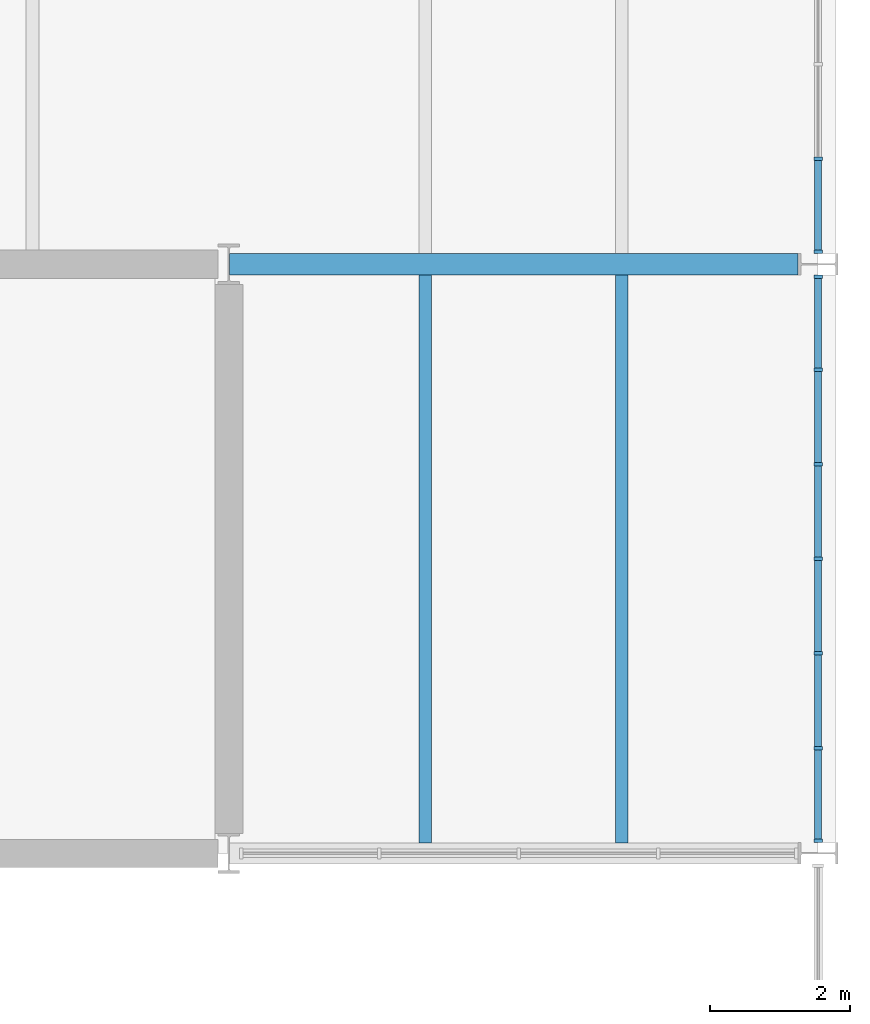
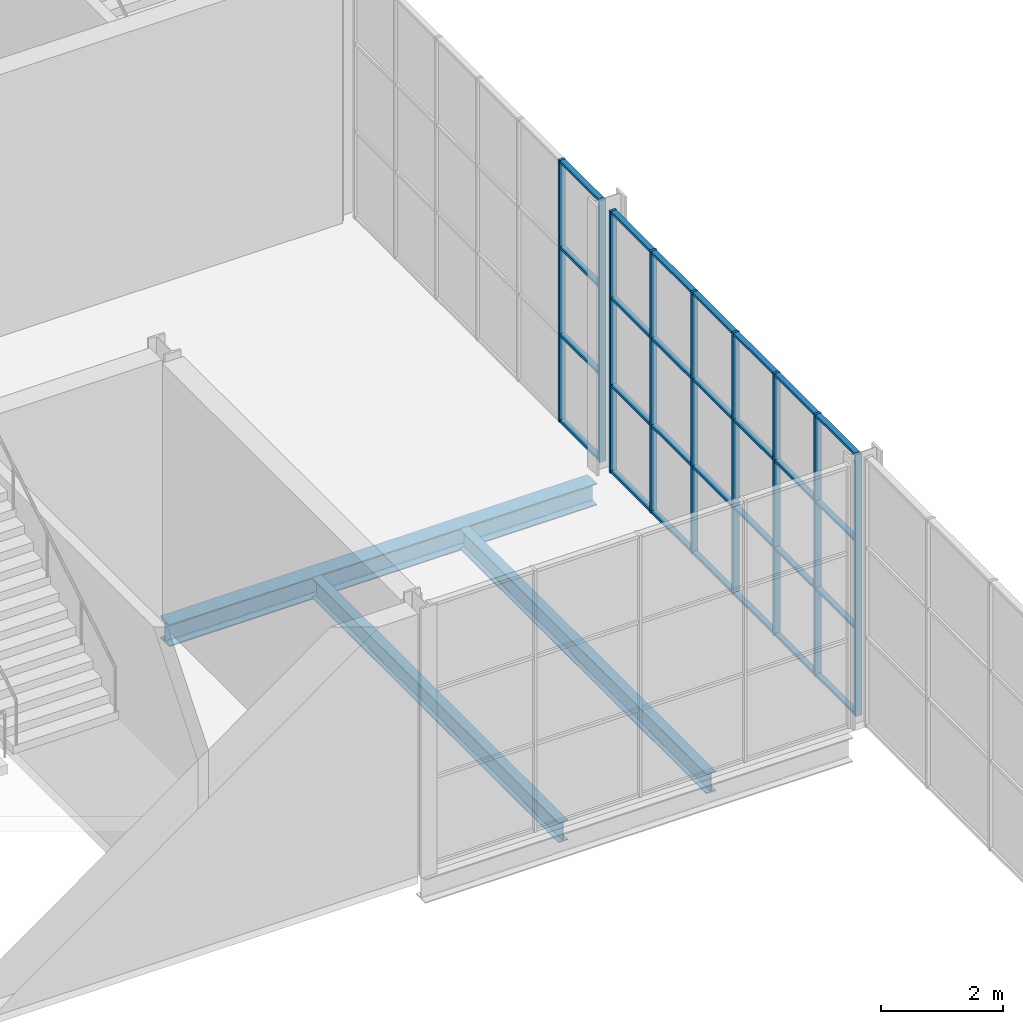
# One storey, part 29 of 64: 37 members, 3 beams, 2 elements without a shape of their own.
"""IFC4 building model written with IfcOpenShell, lengths in metres."""

from ifc_helpers import new_model, si_unit, direction, frame, origin, origin_2d, place, context, subcontext, project, spatial, rectangle, i_section, extrude, material, layer, layer_set, material_profile, profile_set, type_object, element, aggregate, save


model = new_model("IFC4")

# Units and contexts
model_context = context("Model", 3, precision=1e-05, world=origin(), true_north=direction((0.0, 1.0)))
body_context = subcontext(model_context, "Body", "Model", "MODEL_VIEW")
ifc_project = project(units=[si_unit("LENGTHUNIT", "METRE"), si_unit("AREAUNIT", "SQUARE_METRE"), si_unit("VOLUMEUNIT", "CUBIC_METRE"), si_unit("PLANEANGLEUNIT", "RADIAN"), si_unit("MASSUNIT", "GRAM", prefix="KILO")], contexts=[model_context])

# Site, building, storey
site_placement = place(None, origin())
site = spatial("IfcSite", under=ifc_project, at=site_placement, CompositionType="ELEMENT")
building_placement = place(site_placement, origin())
building = spatial("IfcBuilding", under=site, at=building_placement, Name="Galleria Vessillo Department Store", CompositionType="ELEMENT")
storey_placement = place(building_placement, frame((0.0, 0.0, 6.0)))
storey = spatial("IfcBuildingStorey", under=building, at=storey_placement, Name="L01", CompositionType="ELEMENT", Elevation=6.0)

# Curtain wall, members
ifc_material_1 = material(Name="Aluminium and glass curtain wall", Category="aluminium")
ifc_layer = layer(ifc_material_1, 0.1201171875)
ifc_layer_set = layer_set([ifc_layer], Name="Aluminium and glass curtain wall")
curtain_wall_type = type_object("IfcCurtainWallType", Name="Shopfront curtain wall CW3 1400 module", PredefinedType="NOTDEFINED", material=ifc_layer_set)
curtain_wall_1_placement = place(storey_placement, origin())
curtain_wall_1 = element("IfcCurtainWall", 1, at=curtain_wall_1_placement, inside=storey, type_object=curtain_wall_type, Name="Shopfront curtain wall CW3 1400 module SE-N-L01-01", PredefinedType="NOTDEFINED")
ifc_material_2 = material(Name="Aluminium alloy 6063 T6", Category="aluminium")
ifc_material_profile_1 = material_profile(ifc_material_2, rectangle(XDim=0.1201171875, YDim=0.050048828125, at=origin_2d()), Name="AL 50x120")
ifc_profile_set_1 = profile_set([ifc_material_profile_1], Name="Aluminium alloy 6063 T6")
member_type_1 = type_object("IfcMemberType", Name="Aluminium mullion 50 x 120", PredefinedType="MULLION", material=ifc_profile_set_1)
member_1_placement = place(storey_placement, frame((117.60009765625, 37.97802734375, 0.0), z_axis=(0.0, 0.0, 1.0), x_axis=(-1.0, 0.0, 0.0)))
member_1 = element("IfcMember", 2, at=member_1_placement, type_object=member_type_1, Name="CW3 mullion 1", PredefinedType="MULLION", context=body_context, shape_type="SweptSolid", body=[
    extrude(rectangle(XDim=0.1201171875, YDim=0.050048828125, at=origin_2d()), origin(), (0.0, 0.0, 1.0), 5.25),
])
member_2_placement = place(storey_placement, frame((117.60009765625, 39.302001953125, 0.0), z_axis=(0.0, 0.0, 1.0), x_axis=(-1.0, 0.0, 0.0)))
member_2 = element("IfcMember", 3, at=member_2_placement, type_object=member_type_1, Name="CW3 mullion 2", PredefinedType="MULLION", context=body_context, shape_type="SweptSolid", body=[
    extrude(rectangle(XDim=0.1201171875, YDim=0.050048828125, at=origin_2d()), origin(), (0.0, 0.0, 1.0), 5.25),
])
member_3_placement = place(storey_placement, frame((117.60009765625, 40.651123046875, 0.0), z_axis=(0.0, 0.0, 1.0), x_axis=(-1.0, 0.0, 0.0)))
member_3 = element("IfcMember", 4, at=member_3_placement, type_object=member_type_1, Name="CW3 mullion 3", PredefinedType="MULLION", context=body_context, shape_type="SweptSolid", body=[
    extrude(rectangle(XDim=0.1201171875, YDim=0.050048828125, at=origin_2d()), origin(), (0.0, 0.0, 1.0), 5.25),
])
member_4_placement = place(storey_placement, frame((117.60009765625, 42.0, 0.0), z_axis=(0.0, 0.0, 1.0), x_axis=(-1.0, 0.0, 0.0)))
member_4 = element("IfcMember", 5, at=member_4_placement, type_object=member_type_1, Name="CW3 mullion 4", PredefinedType="MULLION", context=body_context, shape_type="SweptSolid", body=[
    extrude(rectangle(XDim=0.1201171875, YDim=0.050048828125, at=origin_2d()), origin(), (0.0, 0.0, 1.0), 5.25),
])
member_5_placement = place(storey_placement, frame((117.60009765625, 43.348876953125, 0.0), z_axis=(0.0, 0.0, 1.0), x_axis=(-1.0, 0.0, 0.0)))
member_5 = element("IfcMember", 6, at=member_5_placement, type_object=member_type_1, Name="CW3 mullion 5", PredefinedType="MULLION", context=body_context, shape_type="SweptSolid", body=[
    extrude(rectangle(XDim=0.1201171875, YDim=0.050048828125, at=origin_2d()), origin(), (0.0, 0.0, 1.0), 5.25),
])
member_6_placement = place(storey_placement, frame((117.60009765625, 44.697998046875, 0.0), z_axis=(0.0, 0.0, 1.0), x_axis=(-1.0, 0.0, 0.0)))
member_6 = element("IfcMember", 7, at=member_6_placement, type_object=member_type_1, Name="CW3 mullion 6", PredefinedType="MULLION", context=body_context, shape_type="SweptSolid", body=[
    extrude(rectangle(XDim=0.1201171875, YDim=0.050048828125, at=origin_2d()), origin(), (0.0, 0.0, 1.0), 5.25),
])
member_7_placement = place(storey_placement, frame((117.60009765625, 46.02197265625, 0.0), z_axis=(0.0, 0.0, 1.0), x_axis=(-1.0, 0.0, 0.0)))
member_7 = element("IfcMember", 8, at=member_7_placement, type_object=member_type_1, Name="CW3 mullion 7", PredefinedType="MULLION", context=body_context, shape_type="SweptSolid", body=[
    extrude(rectangle(XDim=0.1201171875, YDim=0.050048828125, at=origin_2d()), origin(), (0.0, 0.0, 1.0), 5.25),
])

curtain_wall_2_placement = place(storey_placement, origin())
curtain_wall_2 = element("IfcCurtainWall", 9, at=curtain_wall_2_placement, inside=storey, type_object=curtain_wall_type, Name="Shopfront curtain wall CW3 1400 module SE-N-L01-02", PredefinedType="NOTDEFINED")
member_8_placement = place(storey_placement, frame((117.60009765625, 46.3779296875, 0.0), z_axis=(0.0, 0.0, 1.0), x_axis=(-1.0, 0.0, 0.0)))
member_8 = element("IfcMember", 10, at=member_8_placement, type_object=member_type_1, Name="CW3 mullion 1", PredefinedType="MULLION", context=body_context, shape_type="SweptSolid", body=[
    extrude(rectangle(XDim=0.1201171875, YDim=0.050048828125, at=origin_2d()), origin(), (0.0, 0.0, 1.0), 5.25),
])
member_9_placement = place(storey_placement, frame((117.60009765625, 47.701904296875, 0.0), z_axis=(0.0, 0.0, 1.0), x_axis=(-1.0, 0.0, 0.0)))
member_9 = element("IfcMember", 11, at=member_9_placement, type_object=member_type_1, Name="CW3 mullion 2", PredefinedType="MULLION", context=body_context, shape_type="SweptSolid", body=[
    extrude(rectangle(XDim=0.1201171875, YDim=0.050048828125, at=origin_2d()), origin(), (0.0, 0.0, 1.0), 5.25),
])

# Member
ifc_material_3 = material(Name="Aluminium alloy 6063 T6", Category="aluminium")
ifc_material_profile_2 = material_profile(ifc_material_3, rectangle(XDim=0.10009765625, YDim=0.050048828125, at=origin_2d()), Name="AL 50x100")
ifc_profile_set_2 = profile_set([ifc_material_profile_2], Name="Aluminium alloy 6063 T6")
member_type_2 = type_object("IfcMemberType", Name="Aluminium transom 50 x 100", PredefinedType="USERDEFINED", material=ifc_profile_set_2)
member_10_placement = place(storey_placement, frame((117.60009765625, 38.003173828125, 0.02490234375), z_axis=(0.0, 1.0, 0.0), x_axis=(-1.0, 0.0, 0.0)))
member_10 = element("IfcMember", 12, at=member_10_placement, type_object=member_type_2, Name="CW3 transom 1.1", ObjectType="TRANSOM", PredefinedType="USERDEFINED", context=body_context, shape_type="SweptSolid", body=[
    extrude(rectangle(XDim=0.10009765625, YDim=0.050048828125, at=origin_2d()), origin(), (0.0, 0.0, 1.0), 1.27392578125),
])

member_11_placement = place(storey_placement, frame((117.60009765625, 38.003173828125, 1.75), z_axis=(0.0, 1.0, 0.0), x_axis=(-1.0, 0.0, 0.0)))
member_11 = element("IfcMember", 13, at=member_11_placement, type_object=member_type_2, Name="CW3 transom 1.2", ObjectType="TRANSOM", PredefinedType="USERDEFINED", context=body_context, shape_type="SweptSolid", body=[
    extrude(rectangle(XDim=0.10009765625, YDim=0.050048828125, at=origin_2d()), origin(), (0.0, 0.0, 1.0), 1.27392578125),
])

member_12_placement = place(storey_placement, frame((117.60009765625, 38.003173828125, 3.5), z_axis=(0.0, 1.0, 0.0), x_axis=(-1.0, 0.0, 0.0)))
member_12 = element("IfcMember", 14, at=member_12_placement, type_object=member_type_2, Name="CW3 transom 1.3", ObjectType="TRANSOM", PredefinedType="USERDEFINED", context=body_context, shape_type="SweptSolid", body=[
    extrude(rectangle(XDim=0.10009765625, YDim=0.050048828125, at=origin_2d()), origin(), (0.0, 0.0, 1.0), 1.27392578125),
])

member_13_placement = place(storey_placement, frame((117.60009765625, 38.003173828125, 5.22509765625), z_axis=(0.0, 1.0, 0.0), x_axis=(-1.0, 0.0, 0.0)))
member_13 = element("IfcMember", 15, at=member_13_placement, type_object=member_type_2, Name="CW3 transom 1.4", ObjectType="TRANSOM", PredefinedType="USERDEFINED", context=body_context, shape_type="SweptSolid", body=[
    extrude(rectangle(XDim=0.10009765625, YDim=0.050048828125, at=origin_2d()), origin(), (0.0, 0.0, 1.0), 1.27392578125),
])

member_14_placement = place(storey_placement, frame((117.60009765625, 39.3271484375, 0.02490234375), z_axis=(0.0, 1.0, 0.0), x_axis=(-1.0, 0.0, 0.0)))
member_14 = element("IfcMember", 16, at=member_14_placement, type_object=member_type_2, Name="CW3 transom 2.1", ObjectType="TRANSOM", PredefinedType="USERDEFINED", context=body_context, shape_type="SweptSolid", body=[
    extrude(rectangle(XDim=0.10009765625, YDim=0.050048828125, at=origin_2d()), origin(), (0.0, 0.0, 1.0), 1.298828125),
])

member_15_placement = place(storey_placement, frame((117.60009765625, 39.3271484375, 1.75), z_axis=(0.0, 1.0, 0.0), x_axis=(-1.0, 0.0, 0.0)))
member_15 = element("IfcMember", 17, at=member_15_placement, type_object=member_type_2, Name="CW3 transom 2.2", ObjectType="TRANSOM", PredefinedType="USERDEFINED", context=body_context, shape_type="SweptSolid", body=[
    extrude(rectangle(XDim=0.10009765625, YDim=0.050048828125, at=origin_2d()), origin(), (0.0, 0.0, 1.0), 1.298828125),
])

member_16_placement = place(storey_placement, frame((117.60009765625, 39.3271484375, 3.5), z_axis=(0.0, 1.0, 0.0), x_axis=(-1.0, 0.0, 0.0)))
member_16 = element("IfcMember", 18, at=member_16_placement, type_object=member_type_2, Name="CW3 transom 2.3", ObjectType="TRANSOM", PredefinedType="USERDEFINED", context=body_context, shape_type="SweptSolid", body=[
    extrude(rectangle(XDim=0.10009765625, YDim=0.050048828125, at=origin_2d()), origin(), (0.0, 0.0, 1.0), 1.298828125),
])

member_17_placement = place(storey_placement, frame((117.60009765625, 39.3271484375, 5.22509765625), z_axis=(0.0, 1.0, 0.0), x_axis=(-1.0, 0.0, 0.0)))
member_17 = element("IfcMember", 19, at=member_17_placement, type_object=member_type_2, Name="CW3 transom 2.4", ObjectType="TRANSOM", PredefinedType="USERDEFINED", context=body_context, shape_type="SweptSolid", body=[
    extrude(rectangle(XDim=0.10009765625, YDim=0.050048828125, at=origin_2d()), origin(), (0.0, 0.0, 1.0), 1.298828125),
])

member_18_placement = place(storey_placement, frame((117.60009765625, 40.676025390625, 0.02490234375), z_axis=(0.0, 1.0, 0.0), x_axis=(-1.0, 0.0, 0.0)))
member_18 = element("IfcMember", 20, at=member_18_placement, type_object=member_type_2, Name="CW3 transom 3.1", ObjectType="TRANSOM", PredefinedType="USERDEFINED", context=body_context, shape_type="SweptSolid", body=[
    extrude(rectangle(XDim=0.10009765625, YDim=0.050048828125, at=origin_2d()), origin(), (0.0, 0.0, 1.0), 1.299072265625),
])

member_19_placement = place(storey_placement, frame((117.60009765625, 40.676025390625, 1.75), z_axis=(0.0, 1.0, 0.0), x_axis=(-1.0, 0.0, 0.0)))
member_19 = element("IfcMember", 21, at=member_19_placement, type_object=member_type_2, Name="CW3 transom 3.2", ObjectType="TRANSOM", PredefinedType="USERDEFINED", context=body_context, shape_type="SweptSolid", body=[
    extrude(rectangle(XDim=0.10009765625, YDim=0.050048828125, at=origin_2d()), origin(), (0.0, 0.0, 1.0), 1.299072265625),
])

member_20_placement = place(storey_placement, frame((117.60009765625, 40.676025390625, 3.5), z_axis=(0.0, 1.0, 0.0), x_axis=(-1.0, 0.0, 0.0)))
member_20 = element("IfcMember", 22, at=member_20_placement, type_object=member_type_2, Name="CW3 transom 3.3", ObjectType="TRANSOM", PredefinedType="USERDEFINED", context=body_context, shape_type="SweptSolid", body=[
    extrude(rectangle(XDim=0.10009765625, YDim=0.050048828125, at=origin_2d()), origin(), (0.0, 0.0, 1.0), 1.299072265625),
])

member_21_placement = place(storey_placement, frame((117.60009765625, 40.676025390625, 5.22509765625), z_axis=(0.0, 1.0, 0.0), x_axis=(-1.0, 0.0, 0.0)))
member_21 = element("IfcMember", 23, at=member_21_placement, type_object=member_type_2, Name="CW3 transom 3.4", ObjectType="TRANSOM", PredefinedType="USERDEFINED", context=body_context, shape_type="SweptSolid", body=[
    extrude(rectangle(XDim=0.10009765625, YDim=0.050048828125, at=origin_2d()), origin(), (0.0, 0.0, 1.0), 1.299072265625),
])

member_22_placement = place(storey_placement, frame((117.60009765625, 42.02490234375, 0.02490234375), z_axis=(0.0, 1.0, 0.0), x_axis=(-1.0, 0.0, 0.0)))
member_22 = element("IfcMember", 24, at=member_22_placement, type_object=member_type_2, Name="CW3 transom 4.1", ObjectType="TRANSOM", PredefinedType="USERDEFINED", context=body_context, shape_type="SweptSolid", body=[
    extrude(rectangle(XDim=0.10009765625, YDim=0.050048828125, at=origin_2d()), origin(), (0.0, 0.0, 1.0), 1.299072265625),
])

member_23_placement = place(storey_placement, frame((117.60009765625, 42.02490234375, 1.75), z_axis=(0.0, 1.0, 0.0), x_axis=(-1.0, 0.0, 0.0)))
member_23 = element("IfcMember", 25, at=member_23_placement, type_object=member_type_2, Name="CW3 transom 4.2", ObjectType="TRANSOM", PredefinedType="USERDEFINED", context=body_context, shape_type="SweptSolid", body=[
    extrude(rectangle(XDim=0.10009765625, YDim=0.050048828125, at=origin_2d()), origin(), (0.0, 0.0, 1.0), 1.299072265625),
])

member_24_placement = place(storey_placement, frame((117.60009765625, 42.02490234375, 3.5), z_axis=(0.0, 1.0, 0.0), x_axis=(-1.0, 0.0, 0.0)))
member_24 = element("IfcMember", 26, at=member_24_placement, type_object=member_type_2, Name="CW3 transom 4.3", ObjectType="TRANSOM", PredefinedType="USERDEFINED", context=body_context, shape_type="SweptSolid", body=[
    extrude(rectangle(XDim=0.10009765625, YDim=0.050048828125, at=origin_2d()), origin(), (0.0, 0.0, 1.0), 1.299072265625),
])

member_25_placement = place(storey_placement, frame((117.60009765625, 42.02490234375, 5.22509765625), z_axis=(0.0, 1.0, 0.0), x_axis=(-1.0, 0.0, 0.0)))
member_25 = element("IfcMember", 27, at=member_25_placement, type_object=member_type_2, Name="CW3 transom 4.4", ObjectType="TRANSOM", PredefinedType="USERDEFINED", context=body_context, shape_type="SweptSolid", body=[
    extrude(rectangle(XDim=0.10009765625, YDim=0.050048828125, at=origin_2d()), origin(), (0.0, 0.0, 1.0), 1.299072265625),
])

member_26_placement = place(storey_placement, frame((117.60009765625, 43.3740234375, 0.02490234375), z_axis=(0.0, 1.0, 0.0), x_axis=(-1.0, 0.0, 0.0)))
member_26 = element("IfcMember", 28, at=member_26_placement, type_object=member_type_2, Name="CW3 transom 5.1", ObjectType="TRANSOM", PredefinedType="USERDEFINED", context=body_context, shape_type="SweptSolid", body=[
    extrude(rectangle(XDim=0.10009765625, YDim=0.050048828125, at=origin_2d()), origin(), (0.0, 0.0, 1.0), 1.298828125),
])

member_27_placement = place(storey_placement, frame((117.60009765625, 43.3740234375, 1.75), z_axis=(0.0, 1.0, 0.0), x_axis=(-1.0, 0.0, 0.0)))
member_27 = element("IfcMember", 29, at=member_27_placement, type_object=member_type_2, Name="CW3 transom 5.2", ObjectType="TRANSOM", PredefinedType="USERDEFINED", context=body_context, shape_type="SweptSolid", body=[
    extrude(rectangle(XDim=0.10009765625, YDim=0.050048828125, at=origin_2d()), origin(), (0.0, 0.0, 1.0), 1.298828125),
])

member_28_placement = place(storey_placement, frame((117.60009765625, 43.3740234375, 3.5), z_axis=(0.0, 1.0, 0.0), x_axis=(-1.0, 0.0, 0.0)))
member_28 = element("IfcMember", 30, at=member_28_placement, type_object=member_type_2, Name="CW3 transom 5.3", ObjectType="TRANSOM", PredefinedType="USERDEFINED", context=body_context, shape_type="SweptSolid", body=[
    extrude(rectangle(XDim=0.10009765625, YDim=0.050048828125, at=origin_2d()), origin(), (0.0, 0.0, 1.0), 1.298828125),
])

member_29_placement = place(storey_placement, frame((117.60009765625, 43.3740234375, 5.22509765625), z_axis=(0.0, 1.0, 0.0), x_axis=(-1.0, 0.0, 0.0)))
member_29 = element("IfcMember", 31, at=member_29_placement, type_object=member_type_2, Name="CW3 transom 5.4", ObjectType="TRANSOM", PredefinedType="USERDEFINED", context=body_context, shape_type="SweptSolid", body=[
    extrude(rectangle(XDim=0.10009765625, YDim=0.050048828125, at=origin_2d()), origin(), (0.0, 0.0, 1.0), 1.298828125),
])

member_30_placement = place(storey_placement, frame((117.60009765625, 44.722900390625, 0.02490234375), z_axis=(0.0, 1.0, 0.0), x_axis=(-1.0, 0.0, 0.0)))
member_30 = element("IfcMember", 32, at=member_30_placement, type_object=member_type_2, Name="CW3 transom 6.1", ObjectType="TRANSOM", PredefinedType="USERDEFINED", context=body_context, shape_type="SweptSolid", body=[
    extrude(rectangle(XDim=0.10009765625, YDim=0.050048828125, at=origin_2d()), origin(), (0.0, 0.0, 1.0), 1.27392578125),
])

member_31_placement = place(storey_placement, frame((117.60009765625, 44.722900390625, 1.75), z_axis=(0.0, 1.0, 0.0), x_axis=(-1.0, 0.0, 0.0)))
member_31 = element("IfcMember", 33, at=member_31_placement, type_object=member_type_2, Name="CW3 transom 6.2", ObjectType="TRANSOM", PredefinedType="USERDEFINED", context=body_context, shape_type="SweptSolid", body=[
    extrude(rectangle(XDim=0.10009765625, YDim=0.050048828125, at=origin_2d()), origin(), (0.0, 0.0, 1.0), 1.27392578125),
])

member_32_placement = place(storey_placement, frame((117.60009765625, 44.722900390625, 3.5), z_axis=(0.0, 1.0, 0.0), x_axis=(-1.0, 0.0, 0.0)))
member_32 = element("IfcMember", 34, at=member_32_placement, type_object=member_type_2, Name="CW3 transom 6.3", ObjectType="TRANSOM", PredefinedType="USERDEFINED", context=body_context, shape_type="SweptSolid", body=[
    extrude(rectangle(XDim=0.10009765625, YDim=0.050048828125, at=origin_2d()), origin(), (0.0, 0.0, 1.0), 1.27392578125),
])

member_33_placement = place(storey_placement, frame((117.60009765625, 44.722900390625, 5.22509765625), z_axis=(0.0, 1.0, 0.0), x_axis=(-1.0, 0.0, 0.0)))
member_33 = element("IfcMember", 35, at=member_33_placement, type_object=member_type_2, Name="CW3 transom 6.4", ObjectType="TRANSOM", PredefinedType="USERDEFINED", context=body_context, shape_type="SweptSolid", body=[
    extrude(rectangle(XDim=0.10009765625, YDim=0.050048828125, at=origin_2d()), origin(), (0.0, 0.0, 1.0), 1.27392578125),
])

aggregate(curtain_wall_1, [member_1, member_2, member_3, member_4, member_5, member_6, member_7, member_10, member_11, member_12, member_13, member_14, member_15, member_16, member_17, member_18, member_19, member_20, member_21, member_22, member_23, member_24, member_25, member_26, member_27, member_28, member_29, member_30, member_31, member_32, member_33])

member_34_placement = place(storey_placement, frame((117.60009765625, 46.403076171875, 0.02490234375), z_axis=(0.0, 1.0, 0.0), x_axis=(-1.0, 0.0, 0.0)))
member_34 = element("IfcMember", 36, at=member_34_placement, type_object=member_type_2, Name="CW3 transom 1.1", ObjectType="TRANSOM", PredefinedType="USERDEFINED", context=body_context, shape_type="SweptSolid", body=[
    extrude(rectangle(XDim=0.10009765625, YDim=0.050048828125, at=origin_2d()), origin(), (0.0, 0.0, 1.0), 1.27392578125),
])

member_35_placement = place(storey_placement, frame((117.60009765625, 46.403076171875, 1.75), z_axis=(0.0, 1.0, 0.0), x_axis=(-1.0, 0.0, 0.0)))
member_35 = element("IfcMember", 37, at=member_35_placement, type_object=member_type_2, Name="CW3 transom 1.2", ObjectType="TRANSOM", PredefinedType="USERDEFINED", context=body_context, shape_type="SweptSolid", body=[
    extrude(rectangle(XDim=0.10009765625, YDim=0.050048828125, at=origin_2d()), origin(), (0.0, 0.0, 1.0), 1.27392578125),
])

member_36_placement = place(storey_placement, frame((117.60009765625, 46.403076171875, 3.5), z_axis=(0.0, 1.0, 0.0), x_axis=(-1.0, 0.0, 0.0)))
member_36 = element("IfcMember", 38, at=member_36_placement, type_object=member_type_2, Name="CW3 transom 1.3", ObjectType="TRANSOM", PredefinedType="USERDEFINED", context=body_context, shape_type="SweptSolid", body=[
    extrude(rectangle(XDim=0.10009765625, YDim=0.050048828125, at=origin_2d()), origin(), (0.0, 0.0, 1.0), 1.27392578125),
])

member_37_placement = place(storey_placement, frame((117.60009765625, 46.403076171875, 5.22509765625), z_axis=(0.0, 1.0, 0.0), x_axis=(-1.0, 0.0, 0.0)))
member_37 = element("IfcMember", 39, at=member_37_placement, type_object=member_type_2, Name="CW3 transom 1.4", ObjectType="TRANSOM", PredefinedType="USERDEFINED", context=body_context, shape_type="SweptSolid", body=[
    extrude(rectangle(XDim=0.10009765625, YDim=0.050048828125, at=origin_2d()), origin(), (0.0, 0.0, 1.0), 1.27392578125),
])

aggregate(curtain_wall_2, [member_8, member_9, member_34, member_35, member_36, member_37])

# Beams
ifc_material_4 = material(Name="Steel S355 J2", Category="steel")
ifc_material_profile_3 = material_profile(ifc_material_4, i_section(OverallWidth=0.300048828125, OverallDepth=0.43994140625, WebThickness=0.011474609375, FlangeThickness=0.02099609375, FilletRadius=0.027099609375, at=origin_2d()), Name="HEA 450")
ifc_profile_set_3 = profile_set([ifc_material_profile_3], Name="Steel S355 J2")
beam_type_1 = type_object("IfcBeamType", Name="Floor girder HEA 450", PredefinedType="BEAM", material=ifc_profile_set_3)
beam_placement = place(storey_placement, frame((109.210693359375, 46.199951171875, -0.369873046875), z_axis=(1.0, 0.0, 0.0), x_axis=(0.0, 1.0, 0.0)))
element("IfcBeam", 40, at=beam_placement, inside=storey, type_object=beam_type_1, Name="S-BM-L01-GI-x46200-109211", PredefinedType="BEAM", context=body_context, shape_type="SweptSolid", body=[
    extrude(i_section(OverallWidth=0.300048828125, OverallDepth=0.43994140625, WebThickness=0.011474609375, FlangeThickness=0.02099609375, FilletRadius=0.027099609375, at=origin_2d()), origin(), (0.0, 0.0, 1.0), 8.103271484375),
])
ifc_material_5 = material(Name="Steel S355 J2", Category="steel")
ifc_material_profile_4 = material_profile(ifc_material_5, i_section(OverallWidth=0.179931640625, OverallDepth=0.39990234375, WebThickness=0.008544921875, FlangeThickness=0.013427734375, FilletRadius=0.02099609375, at=origin_2d()), Name="IPE 400")
ifc_profile_set_4 = profile_set([ifc_material_profile_4], Name="Steel S355 J2")
beam_type_2 = type_object("IfcBeamType", Name="Floor joist IPE 400", PredefinedType="JOIST", material=ifc_profile_set_4)
for number, where, z_axis, x_axis, name in (
    (41, (112.0, 37.9501953125, -0.349853515625), (0.0, 1.0, 0.0), (-1.0, 0.0, 0.0), "S-BM-L01-JO-y112000-37950"),
    (42, (114.800048828125, 37.9501953125, -0.349853515625), (0.0, 1.0, 0.0), (-1.0, 0.0, 0.0), "S-BM-L01-JO-y114800-37950"),
):
    element("IfcBeam", number, at=place(storey_placement, frame(where, z_axis=z_axis, x_axis=x_axis)), inside=storey, type_object=beam_type_2, Name=name, PredefinedType="JOIST", context=body_context, shape_type="SweptSolid", body=[
        extrude(i_section(OverallWidth=0.179931640625, OverallDepth=0.39990234375, WebThickness=0.008544921875, FlangeThickness=0.013427734375, FilletRadius=0.02099609375, at=origin_2d()), origin(), (0.0, 0.0, 1.0), 8.099609375),
    ])

save(model, "model.ifc")
